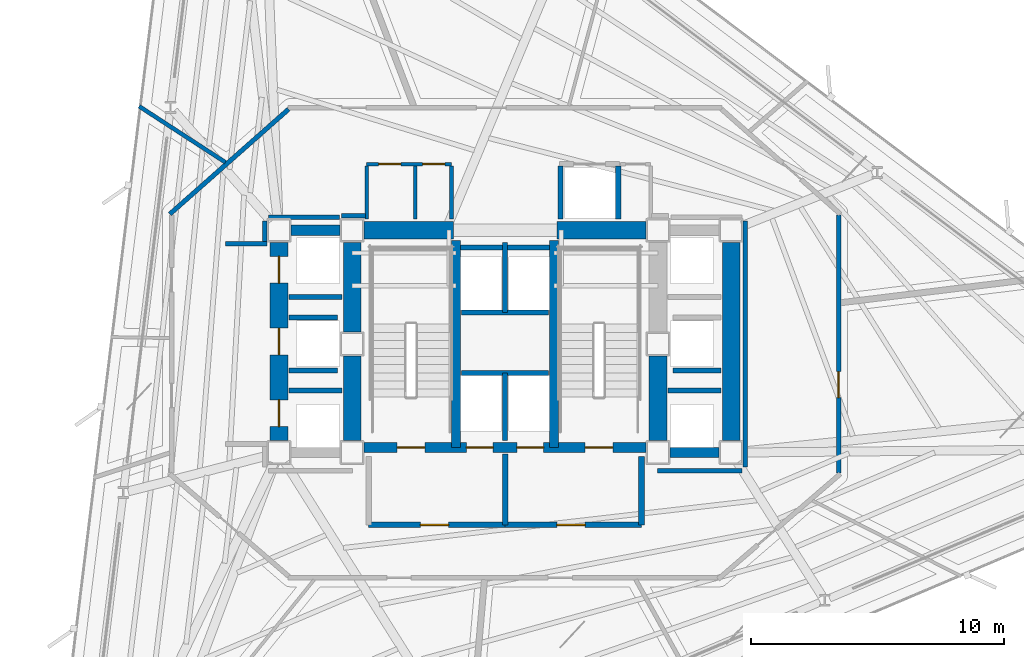
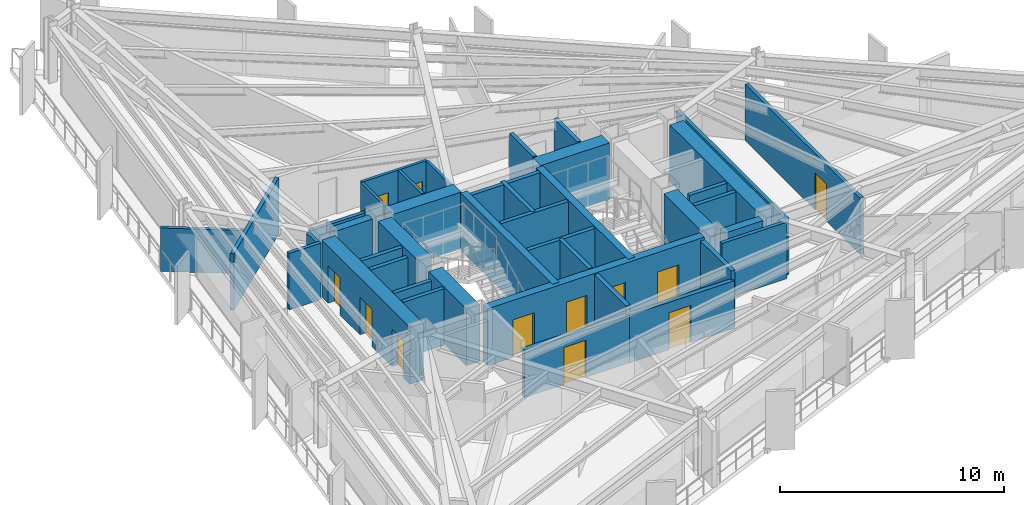
# One storey, part 7 of 13: 42 walls, 12 doors, 12 openings.
"""IFC4 building model written with IfcOpenShell, lengths in metres."""

from ifc_helpers import new_model, si_unit, direction, frame, frame_2d, origin, place, context, subcontext, project, spatial, rectangle, extrude, material, layer, layer_set, type_object, element, fill, save


model = new_model("IFC4")

# Units and contexts
model_context = context("Model", 3, precision=1e-05, world=origin(), true_north=direction((0.0, 1.0)))
body_context = subcontext(model_context, "Body", "Model", "MODEL_VIEW")
ifc_project = project(units=[si_unit("LENGTHUNIT", "METRE"), si_unit("AREAUNIT", "SQUARE_METRE"), si_unit("VOLUMEUNIT", "CUBIC_METRE"), si_unit("PLANEANGLEUNIT", "RADIAN"), si_unit("MASSUNIT", "GRAM", prefix="KILO")], contexts=[model_context])

# Site, building, storey
site_placement = place(None, origin())
site = spatial("IfcSite", under=ifc_project, at=site_placement, CompositionType="ELEMENT")
building_placement = place(site_placement, origin())
building = spatial("IfcBuilding", under=site, at=building_placement, Name="Rocaltana Carrier Exchange", CompositionType="ELEMENT")
storey_placement = place(building_placement, frame((0.0, 0.0, 59.679931640625)))
storey = spatial("IfcBuildingStorey", under=building, at=storey_placement, Name="L18", CompositionType="ELEMENT", Elevation=59.679931640625)

# Walls
ifc_material_1 = material(Name="Double Acoustic Gypsum Partition", Category="gypsum")
ifc_layer_1 = layer(ifc_material_1, 0.159912109375)
ifc_layer_set_1 = layer_set([ifc_layer_1], Name="Double Acoustic Gypsum Partition")
wall_type_1 = type_object("IfcWallType", Name="Acoustic Studio Partition 160 EI60", PredefinedType="PARTITIONING", material=ifc_layer_set_1)
wall_1_placement = place(storey_placement, frame((-11.069091796875, 7.188232421875, 0.0), z_axis=(0.0, 0.0, 1.0), x_axis=(-0.838653238926, 0.544665718436, 0.0)))
element("IfcWall", 1, at=wall_1_placement, inside=storey, type_object=wall_type_1, Name="L18 Suite Divider Wall D10", PredefinedType="PARTITIONING", context=body_context, shape_type="SweptSolid", body=[
    extrude(rectangle(XDim=4.070068359375, YDim=0.159912109375, at=frame_2d((2.03515625, 0.0))), origin(), (0.0, 0.0, 1.0), 2.358154296875),
])
ifc_material_2 = material(Name="Concrete C50/60", Category="concrete")
ifc_layer_2 = layer(ifc_material_2, 0.35009765625)
ifc_layer_set_2 = layer_set([ifc_layer_2], Name="Concrete C50/60")
wall_type_2 = type_object("IfcWallType", Name="Core Internal Shear Wall 350", PredefinedType="SHEAR", material=ifc_layer_set_2)
for number, where, z_axis, x_axis, name in (
    (2, (-1.93994140625, -4.10009765625, 0.0), (0.0, 0.0, 1.0), (0.0, 1.0, 0.0), "L18 Core Shear Wall CW-STW"),
    (3, (1.93994140625, -4.10009765625, 0.0), (0.0, 0.0, 1.0), (0.0, 1.0, 0.0), "L18 Core Shear Wall CW-STE"),
):
    element("IfcWall", number, at=place(storey_placement, frame(where, z_axis=z_axis, x_axis=x_axis)), inside=storey, type_object=wall_type_2, Name=name, PredefinedType="SHEAR", context=body_context, shape_type="SweptSolid", body=[
        extrude(rectangle(XDim=8.2001953125, YDim=0.35009765625, at=frame_2d((4.10009765625, 0.0))), origin(), (0.0, 0.0, 1.0), 3.09814453125),
    ])

# Wall, openings, doors
ifc_material_3 = material(Name="Concrete C50/60", Category="concrete")
ifc_layer_3 = layer(ifc_material_3, 0.39990234375)
ifc_layer_set_3 = layer_set([ifc_layer_3], Name="Concrete C50/60")
wall_type_3 = type_object("IfcWallType", Name="Core Internal Shear Wall 400", PredefinedType="SHEAR", material=ifc_layer_set_3)
wall_2_placement = place(storey_placement, frame((-5.574951171875, -4.10009765625, 0.0), z_axis=(0.0, 0.0, 1.0), x_axis=(1.0, 0.0, 0.0)))
wall_2 = element("IfcWall", 4, at=wall_2_placement, inside=storey, type_object=wall_type_3, Name="L18 Core Shear Wall CW-S", PredefinedType="SHEAR", context=body_context, shape_type="SweptSolid", body=[
    extrude(rectangle(XDim=11.14990234375, YDim=0.39990234375, at=frame_2d((5.574951171875, 0.0))), origin(), (0.0, 0.0, 1.0), 3.09814453125),
])
opening_1_placement = place(wall_2_placement, frame((1.304931640625, 0.0, 0.0)))
opening_1 = element("IfcOpeningElement", 5, at=opening_1_placement, cuts=wall_2, Name="Opening D-ST110", PredefinedType="OPENING", context=body_context, shape_type="SweptSolid", body=[
    extrude(rectangle(XDim=1.10009765625, YDim=2.0400390625, at=frame_2d((0.550048828125, 1.02001953125))), frame((0.0, 0.2099609375, 0.0), z_axis=(0.0, -1.0, 0.0), x_axis=(1.0, 0.0, 0.0)), (0.0, 0.0, 1.0), 0.419921875),
])
opening_2_placement = place(wall_2_placement, frame((8.7451171875, 0.0, 0.0)))
opening_2 = element("IfcOpeningElement", 6, at=opening_2_placement, cuts=wall_2, Name="Opening D-ST110", PredefinedType="OPENING", context=body_context, shape_type="SweptSolid", body=[
    extrude(rectangle(XDim=1.10009765625, YDim=2.0400390625, at=frame_2d((0.550048828125, 1.02001953125))), frame((0.0, 0.2099609375, 0.0), z_axis=(0.0, -1.0, 0.0), x_axis=(1.0, 0.0, 0.0)), (0.0, 0.0, 1.0), 0.419921875),
])
opening_3_placement = place(wall_2_placement, frame((4.044921875, 0.0, 0.0)))
opening_3 = element("IfcOpeningElement", 7, at=opening_3_placement, cuts=wall_2, Name="Opening LD-110", PredefinedType="OPENING", context=body_context, shape_type="SweptSolid", body=[
    extrude(rectangle(XDim=1.06005859375, YDim=2.0400390625, at=frame_2d((0.530029296875, 1.02001953125))), frame((0.0, 0.2099609375, 0.0), z_axis=(0.0, -1.0, 0.0), x_axis=(1.0, 0.0, 0.0)), (0.0, 0.0, 1.0), 0.419921875),
])
opening_4_placement = place(wall_2_placement, frame((6.044921875, 0.0, 0.0)))
opening_4 = element("IfcOpeningElement", 8, at=opening_4_placement, cuts=wall_2, Name="Opening LD-110", PredefinedType="OPENING", context=body_context, shape_type="SweptSolid", body=[
    extrude(rectangle(XDim=1.06005859375, YDim=2.0400390625, at=frame_2d((0.530029296875, 1.02001953125))), frame((0.0, 0.2099609375, 0.0), z_axis=(0.0, -1.0, 0.0), x_axis=(1.0, 0.0, 0.0)), (0.0, 0.0, 1.0), 0.419921875),
])
ifc_material_4 = material(Name="Hollow Metal Fire Door Assembly", Category="steel")
door_type_1 = type_object("IfcDoorType", Name="Exit Stair Fire Door 1100x2040 FD90S", OperationType="NOTDEFINED", PredefinedType="DOOR", material=ifc_material_4)
door_1_placement = place(opening_1_placement, origin())
door_1 = element("IfcDoor", 9, at=door_1_placement, inside=storey, type_object=door_type_1, Name="L18 Exit Stair ST1 Fire Door", OperationType="SINGLE_SWING_RIGHT", OverallHeight=2.0400390625, OverallWidth=1.10009765625, PredefinedType="DOOR", context=body_context, shape_type="SweptSolid", body=[
    extrude(rectangle(XDim=1.10009765625, YDim=2.0400390625, at=frame_2d((0.550048828125, 1.02001953125))), frame((0.0, 0.02490234375, 0.0), z_axis=(0.0, -1.0, 0.0), x_axis=(1.0, 0.0, 0.0)), (0.0, 0.0, 1.0), 0.050048828125),
])
fill(opening_1, door_1)
door_2_placement = place(opening_2_placement, origin())
door_2 = element("IfcDoor", 10, at=door_2_placement, inside=storey, type_object=door_type_1, Name="L18 Exit Stair ST2 Fire Door", OperationType="SINGLE_SWING_LEFT", OverallHeight=2.0400390625, OverallWidth=1.10009765625, PredefinedType="DOOR", context=body_context, shape_type="SweptSolid", body=[
    extrude(rectangle(XDim=1.10009765625, YDim=2.0400390625, at=frame_2d((0.550048828125, 1.02001953125))), frame((0.0, 0.02490234375, 0.0), z_axis=(0.0, -1.0, 0.0), x_axis=(1.0, 0.0, 0.0)), (0.0, 0.0, 1.0), 0.050048828125),
])
fill(opening_2, door_2)
ifc_material_5 = material(Name="Brushed Stainless Sliding Door Leaf", Category="steel")
door_type_2 = type_object("IfcDoorType", Name="Lift Landing Sliding Door 1060x2040", OperationType="NOTDEFINED", PredefinedType="DOOR", material=ifc_material_5)
door_3_placement = place(opening_3_placement, origin())
door_3 = element("IfcDoor", 11, at=door_3_placement, inside=storey, type_object=door_type_2, Name="L18 Firefighting Lift FFL1 Landing Door", OperationType="SLIDING_TO_LEFT", OverallHeight=2.0400390625, OverallWidth=1.06005859375, PredefinedType="DOOR", context=body_context, shape_type="SweptSolid", body=[
    extrude(rectangle(XDim=1.06005859375, YDim=2.0400390625, at=frame_2d((0.530029296875, 1.02001953125))), frame((0.0, 0.02490234375, 0.0), z_axis=(0.0, -1.0, 0.0), x_axis=(1.0, 0.0, 0.0)), (0.0, 0.0, 1.0), 0.050048828125),
])
fill(opening_3, door_3)
door_4_placement = place(opening_4_placement, origin())
door_4 = element("IfcDoor", 12, at=door_4_placement, inside=storey, type_object=door_type_2, Name="L18 Firefighting Lift FFL2 Landing Door", OperationType="SLIDING_TO_RIGHT", OverallHeight=2.0400390625, OverallWidth=1.06005859375, PredefinedType="DOOR", context=body_context, shape_type="SweptSolid", body=[
    extrude(rectangle(XDim=1.06005859375, YDim=2.0400390625, at=frame_2d((0.530029296875, 1.02001953125))), frame((0.0, 0.02490234375, 0.0), z_axis=(0.0, -1.0, 0.0), x_axis=(1.0, 0.0, 0.0)), (0.0, 0.0, 1.0), 0.050048828125),
])
fill(opening_4, door_4)

# Walls
for number, where, z_axis, x_axis, name in (
    (13, (-8.47509765625, 4.5, 0.0), (0.0, 0.0, 1.0), (1.0, 0.0, 0.0), "L18 Core Shear Wall CW-WWN"),
    (14, (6.52490234375, -4.300048828125, 0.0), (0.0, 0.0, 1.0), (1.0, 0.0, 0.0), "L18 Core Shear Wall CW-EWS"),
):
    element("IfcWall", number, at=place(storey_placement, frame(where, z_axis=z_axis, x_axis=x_axis)), inside=storey, type_object=wall_type_3, Name=name, PredefinedType="SHEAR", context=body_context, shape_type="SweptSolid", body=[
        extrude(rectangle(XDim=1.9501953125, YDim=0.39990234375, at=frame_2d((0.97509765625, 0.0))), origin(), (0.0, 0.0, 1.0), 3.09814453125),
    ])
ifc_material_6 = material(Name="Concrete C60/75", Category="concrete")
ifc_layer_4 = layer(ifc_material_6, 0.699951171875)
ifc_layer_set_4 = layer_set([ifc_layer_4], Name="Concrete C60/75")
wall_type_4 = type_object("IfcWallType", Name="Core Shear Wall 700", PredefinedType="SHEAR", material=ifc_layer_set_4)
wall_3_placement = place(storey_placement, frame((-6.050048828125, 0.47509765625, 0.0), z_axis=(0.0, 0.0, 1.0), x_axis=(0.0, 1.0, 0.0)))
element("IfcWall", 15, at=wall_3_placement, inside=storey, type_object=wall_type_4, Name="L18 Core Shear Wall CW-WN", PredefinedType="SHEAR", context=body_context, shape_type="SweptSolid", body=[
    extrude(rectangle(XDim=3.5498046875, YDim=0.699951171875, at=frame_2d((1.77490234375, 0.0))), origin(), (0.0, 0.0, 1.0), 3.09814453125),
])
for number, where, z_axis, x_axis, name in (
    (16, (-6.050048828125, -3.824951171875, 0.0), (0.0, 0.0, 1.0), (0.0, 1.0, 0.0), "L18 Core Shear Wall CW-WS"),
    (17, (6.050048828125, -3.824951171875, 0.0), (0.0, 0.0, 1.0), (0.0, 1.0, 0.0), "L18 Core Shear Wall CW-ES"),
):
    element("IfcWall", number, at=place(storey_placement, frame(where, z_axis=z_axis, x_axis=x_axis)), inside=storey, type_object=wall_type_4, Name=name, PredefinedType="SHEAR", context=body_context, shape_type="SweptSolid", body=[
        extrude(rectangle(XDim=3.349853515625, YDim=0.699951171875, at=frame_2d((1.6748046875, 0.0))), origin(), (0.0, 0.0, 1.0), 3.09814453125),
    ])
for number, where, z_axis, x_axis, name in (
    (18, (-5.574951171875, 4.5, 0.0), (0.0, 0.0, 1.0), (1.0, 0.0, 0.0), "L18 Core Shear Wall CW-N1"),
    (19, (2.050048828125, 4.5, 0.0), (0.0, 0.0, 1.0), (1.0, 0.0, 0.0), "L18 Core Shear Wall CW-N2"),
):
    element("IfcWall", number, at=place(storey_placement, frame(where, z_axis=z_axis, x_axis=x_axis)), inside=storey, type_object=wall_type_4, Name=name, PredefinedType="SHEAR", context=body_context, shape_type="SweptSolid", body=[
        extrude(rectangle(XDim=3.52490234375, YDim=0.699951171875, at=frame_2d((1.762451171875, 0.0))), origin(), (0.0, 0.0, 1.0), 3.09814453125),
    ])

# Wall, openings, doors
wall_4_placement = place(storey_placement, frame((-8.949951171875, -3.824951171875, 0.0), z_axis=(0.0, 0.0, 1.0), x_axis=(0.0, 1.0, 0.0)))
wall_4 = element("IfcWall", 20, at=wall_4_placement, inside=storey, type_object=wall_type_4, Name="L18 Core Shear Wall CW-WW", PredefinedType="SHEAR", context=body_context, shape_type="SweptSolid", body=[
    extrude(rectangle(XDim=7.849853515625, YDim=0.699951171875, at=frame_2d((3.9248046875, 0.0))), origin(), (0.0, 0.0, 1.0), 3.09814453125),
])
opening_5_placement = place(wall_4_placement, frame((0.550048828125, 0.0, 0.0)))
opening_5 = element("IfcOpeningElement", 21, at=opening_5_placement, cuts=wall_4, Name="Opening LD-110", PredefinedType="OPENING", context=body_context, shape_type="SweptSolid", body=[
    extrude(rectangle(XDim=1.06005859375, YDim=2.0400390625, at=frame_2d((0.530029296875, 1.02001953125))), frame((0.0, 0.35986328125, 0.0), z_axis=(0.0, -1.0, 0.0), x_axis=(1.0, 0.0, 0.0)), (0.0, 0.0, 1.0), 0.719970703125),
])
opening_6_placement = place(wall_4_placement, frame((3.39501953125, 0.0, 0.0)))
opening_6 = element("IfcOpeningElement", 22, at=opening_6_placement, cuts=wall_4, Name="Opening LD-110", PredefinedType="OPENING", context=body_context, shape_type="SweptSolid", body=[
    extrude(rectangle(XDim=1.06005859375, YDim=2.0400390625, at=frame_2d((0.530029296875, 1.02001953125))), frame((0.0, 0.35986328125, 0.0), z_axis=(0.0, -1.0, 0.0), x_axis=(1.0, 0.0, 0.0)), (0.0, 0.0, 1.0), 0.719970703125),
])
opening_7_placement = place(wall_4_placement, frame((6.22998046875, 0.0, 0.0)))
opening_7 = element("IfcOpeningElement", 23, at=opening_7_placement, cuts=wall_4, Name="Opening LD-110", PredefinedType="OPENING", context=body_context, shape_type="SweptSolid", body=[
    extrude(rectangle(XDim=1.06005859375, YDim=2.0400390625, at=frame_2d((0.530029296875, 1.02001953125))), frame((0.0, 0.35986328125, 0.0), z_axis=(0.0, -1.0, 0.0), x_axis=(1.0, 0.0, 0.0)), (0.0, 0.0, 1.0), 0.719970703125),
])
door_5_placement = place(opening_5_placement, origin())
door_5 = element("IfcDoor", 24, at=door_5_placement, inside=storey, type_object=door_type_2, Name="L18 Low-Rise Lift PL-L1 Landing Door", OperationType="SLIDING_TO_LEFT", OverallHeight=2.0400390625, OverallWidth=1.06005859375, PredefinedType="DOOR", context=body_context, shape_type="SweptSolid", body=[
    extrude(rectangle(XDim=1.06005859375, YDim=2.0400390625, at=frame_2d((0.530029296875, 1.02001953125))), frame((0.0, 0.02490234375, 0.0), z_axis=(0.0, -1.0, 0.0), x_axis=(1.0, 0.0, 0.0)), (0.0, 0.0, 1.0), 0.050048828125),
])
fill(opening_5, door_5)
door_6_placement = place(opening_6_placement, origin())
door_6 = element("IfcDoor", 25, at=door_6_placement, inside=storey, type_object=door_type_2, Name="L18 Low-Rise Lift PL-L2 Landing Door", OperationType="SLIDING_TO_RIGHT", OverallHeight=2.0400390625, OverallWidth=1.06005859375, PredefinedType="DOOR", context=body_context, shape_type="SweptSolid", body=[
    extrude(rectangle(XDim=1.06005859375, YDim=2.0400390625, at=frame_2d((0.530029296875, 1.02001953125))), frame((0.0, 0.02490234375, 0.0), z_axis=(0.0, -1.0, 0.0), x_axis=(1.0, 0.0, 0.0)), (0.0, 0.0, 1.0), 0.050048828125),
])
fill(opening_6, door_6)
door_7_placement = place(opening_7_placement, origin())
door_7 = element("IfcDoor", 26, at=door_7_placement, inside=storey, type_object=door_type_2, Name="L18 Low-Rise Lift PL-L3 Landing Door", OperationType="SLIDING_TO_LEFT", OverallHeight=2.0400390625, OverallWidth=1.06005859375, PredefinedType="DOOR", context=body_context, shape_type="SweptSolid", body=[
    extrude(rectangle(XDim=1.06005859375, YDim=2.0400390625, at=frame_2d((0.530029296875, 1.02001953125))), frame((0.0, 0.02490234375, 0.0), z_axis=(0.0, -1.0, 0.0), x_axis=(1.0, 0.0, 0.0)), (0.0, 0.0, 1.0), 0.050048828125),
])
fill(opening_7, door_7)

# Wall
wall_5_placement = place(storey_placement, frame((8.949951171875, -3.824951171875, 0.0), z_axis=(0.0, 0.0, 1.0), x_axis=(0.0, 1.0, 0.0)))
element("IfcWall", 27, at=wall_5_placement, inside=storey, type_object=wall_type_4, Name="L18 Core Shear Wall CW-EW", PredefinedType="SHEAR", context=body_context, shape_type="SweptSolid", body=[
    extrude(rectangle(XDim=7.849853515625, YDim=0.699951171875, at=frame_2d((3.9248046875, 0.0))), origin(), (0.0, 0.0, 1.0), 3.09814453125),
])

# Wall, opening, door
ifc_material_7 = material(Name="Gypsum & Steel Stud Partition", Category="steel")
ifc_layer_5 = layer(ifc_material_7, 0.179931640625)
ifc_layer_set_5 = layer_set([ifc_layer_5], Name="Gypsum & Steel Stud Partition")
wall_type_5 = type_object("IfcWallType", Name="Corridor Fire Partition 180 EI60", PredefinedType="PARTITIONING", material=ifc_layer_set_5)
wall_6_placement = place(storey_placement, frame((13.199951171875, 5.110107421875, 0.0), z_axis=(0.0, 0.0, 1.0), x_axis=(0.0, -1.0, 0.0)))
wall_6 = element("IfcWall", 28, at=wall_6_placement, inside=storey, type_object=wall_type_5, Name="L18 Corridor Partition 3", PredefinedType="PARTITIONING", context=body_context, shape_type="SweptSolid", body=[
    extrude(rectangle(XDim=10.22021484375, YDim=0.179931640625, at=frame_2d((5.110107421875, 0.0))), origin(), (0.0, 0.0, 1.0), 3.072998046875),
])
opening_8_placement = place(wall_6_placement, frame((6.209716796875, 0.0, 0.0)))
opening_8 = element("IfcOpeningElement", 29, at=opening_8_placement, cuts=wall_6, Name="Opening D-LB104", PredefinedType="OPENING", context=body_context, shape_type="SweptSolid", body=[
    extrude(rectangle(XDim=1.02001953125, YDim=2.02001953125, at=frame_2d((0.510009765625, 1.010009765625))), frame((0.0, 0.099853515625, 0.0), z_axis=(0.0, -1.0, 0.0), x_axis=(1.0, 0.0, 0.0)), (0.0, 0.0, 1.0), 0.199951171875),
])
ifc_material_8 = material(Name="Powder-Coated Aluminium 6063-T6", Category="aluminium")
door_type_3 = type_object("IfcDoorType", Name="Laboratory Acoustic Door 1020x2020", OperationType="NOTDEFINED", PredefinedType="DOOR", material=ifc_material_8)
door_8_placement = place(opening_8_placement, origin())
door_8 = element("IfcDoor", 30, at=door_8_placement, inside=storey, type_object=door_type_3, Name="L18 Optical Switching Laboratory Entrance Door", OperationType="SINGLE_SWING_RIGHT", OverallHeight=2.02001953125, OverallWidth=1.02001953125, PredefinedType="DOOR", context=body_context, shape_type="SweptSolid", body=[
    extrude(rectangle(XDim=1.02001953125, YDim=2.02001953125, at=frame_2d((0.510009765625, 1.010009765625))), frame((0.0, 0.02490234375, 0.0), z_axis=(0.0, -1.0, 0.0), x_axis=(1.0, 0.0, 0.0)), (0.0, 0.0, 1.0), 0.050048828125),
])
fill(opening_8, door_8)

# Walls
wall_7_placement = place(storey_placement, frame((-13.267578125, 5.140380859375, 0.0), z_axis=(0.0, 0.0, 1.0), x_axis=(0.749626463267, 0.66186113768, 0.0)))
element("IfcWall", 31, at=wall_7_placement, inside=storey, type_object=wall_type_5, Name="L18 Corridor Partition 8", PredefinedType="PARTITIONING", context=body_context, shape_type="SweptSolid", body=[
    extrude(rectangle(XDim=6.27001953125, YDim=0.179931640625, at=frame_2d((3.135009765625, 0.0))), origin(), (0.0, 0.0, 1.0), 3.072998046875),
])
wall_8_placement = place(storey_placement, frame((-9.510009765625, 4.8701171875, 0.0), z_axis=(0.0, 0.0, 1.0), x_axis=(0.0, -1.0, 0.0)))
element("IfcWall", 32, at=wall_8_placement, inside=storey, type_object=wall_type_5, Name="L18 Corridor Partition 9", PredefinedType="PARTITIONING", context=body_context, shape_type="SweptSolid", body=[
    extrude(rectangle(XDim=0.820068359375, YDim=0.179931640625, at=frame_2d((0.41015625, 0.0))), origin(), (0.0, 0.0, 1.0), 3.072998046875),
])
wall_9_placement = place(storey_placement, frame((-9.419921875, 3.9599609375, 0.0), z_axis=(0.0, 0.0, 1.0), x_axis=(-1.0, 0.0, 0.0)))
element("IfcWall", 33, at=wall_9_placement, inside=storey, type_object=wall_type_5, Name="L18 Corridor Partition 10", PredefinedType="PARTITIONING", context=body_context, shape_type="SweptSolid", body=[
    extrude(rectangle(XDim=1.650146484375, YDim=0.179931640625, at=frame_2d((0.8251953125, 0.0))), origin(), (0.0, 0.0, 1.0), 3.072998046875),
])
wall_10_placement = place(storey_placement, frame((6.030029296875, -5.010009765625, 0.0), z_axis=(0.0, 0.0, 1.0), x_axis=(1.0, 0.0, 0.0)))
element("IfcWall", 34, at=wall_10_placement, inside=storey, type_object=wall_type_5, Name="L18 Corridor Partition 16", PredefinedType="PARTITIONING", context=body_context, shape_type="SweptSolid", body=[
    extrude(rectangle(XDim=3.340087890625, YDim=0.179931640625, at=frame_2d((1.669921875, 0.0))), origin(), (0.0, 0.0, 1.0), 3.072998046875),
])
wall_11_placement = place(storey_placement, frame((9.510009765625, -4.8701171875, 0.0), z_axis=(0.0, 0.0, 1.0), x_axis=(0.0, 1.0, 0.0)))
element("IfcWall", 35, at=wall_11_placement, inside=storey, type_object=wall_type_5, Name="L18 Corridor Partition 17", PredefinedType="PARTITIONING", context=body_context, shape_type="SweptSolid", body=[
    extrude(rectangle(XDim=9.740234375, YDim=0.179931640625, at=frame_2d((4.8701171875, 0.0))), origin(), (0.0, 0.0, 1.0), 3.072998046875),
])
wall_12_placement = place(storey_placement, frame((-5.52001953125, 5.080078125, 0.0), z_axis=(0.0, 0.0, 1.0), x_axis=(-1.0, 0.0, 0.0)))
element("IfcWall", 36, at=wall_12_placement, inside=storey, type_object=wall_type_5, Name="L18 Corridor Partition 22", PredefinedType="PARTITIONING", context=body_context, shape_type="SweptSolid", body=[
    extrude(rectangle(XDim=0.949951171875, YDim=0.179931640625, at=frame_2d((0.47509765625, 0.0))), origin(), (0.0, 0.0, 1.0), 3.072998046875),
])
wall_13_placement = place(storey_placement, frame((-6.562255859375, 5.010009765625, 0.0), z_axis=(0.0, 0.0, 1.0), x_axis=(-1.0, 0.0, 0.0)))
element("IfcWall", 37, at=wall_13_placement, inside=storey, type_object=wall_type_5, Name="L18 Corridor Partition 23", PredefinedType="PARTITIONING", context=body_context, shape_type="SweptSolid", body=[
    extrude(rectangle(XDim=2.807861328125, YDim=0.179931640625, at=frame_2d((1.40380859375, 0.0))), origin(), (0.0, 0.0, 1.0), 3.072998046875),
])
ifc_material_9 = material(Name="Autoclaved Aerated Concrete C30/37", Category="concrete")
ifc_layer_6 = layer(ifc_material_9, 0.219970703125)
ifc_layer_set_6 = layer_set([ifc_layer_6], Name="Autoclaved Aerated Concrete C30/37")
wall_type_6 = type_object("IfcWallType", Name="Firefighting Lobby Wall 220 EI120", PredefinedType="PARTITIONING", material=ifc_layer_set_6)
wall_14_placement = place(storey_placement, frame((5.39990234375, -7.159912109375, 0.0), z_axis=(0.0, 0.0, 1.0), x_axis=(0.0, 1.0, 0.0)))
element("IfcWall", 38, at=wall_14_placement, inside=storey, type_object=wall_type_6, Name="L18 FFL Lobby 2 East Wall", PredefinedType="PARTITIONING", context=body_context, shape_type="SweptSolid", body=[
    extrude(rectangle(XDim=2.7099609375, YDim=0.219970703125, at=frame_2d((1.35498046875, 0.0))), origin(), (0.0, 0.0, 1.0), 3.072998046875),
])
wall_15_placement = place(storey_placement, frame((0.0, -7.159912109375, 0.0), z_axis=(0.0, 0.0, 1.0), x_axis=(0.0, 1.0, 0.0)))
element("IfcWall", 39, at=wall_15_placement, inside=storey, type_object=wall_type_6, Name="L18 FFL Lobby Centre Wall", PredefinedType="PARTITIONING", context=body_context, shape_type="SweptSolid", body=[
    extrude(rectangle(XDim=2.809814453125, YDim=0.219970703125, at=frame_2d((1.40478515625, 0.0))), origin(), (0.0, 0.0, 1.0), 3.072998046875),
])

# Wall, opening, door
wall_16_placement = place(storey_placement, frame((-5.39990234375, -7.159912109375, 0.0), z_axis=(0.0, 0.0, 1.0), x_axis=(1.0, 0.0, 0.0)))
wall_16 = element("IfcWall", 40, at=wall_16_placement, inside=storey, type_object=wall_type_6, Name="L18 FFL Lobby 1 South Wall", PredefinedType="PARTITIONING", context=body_context, shape_type="SweptSolid", body=[
    extrude(rectangle(XDim=5.39990234375, YDim=0.219970703125, at=frame_2d((2.699951171875, 0.0))), origin(), (0.0, 0.0, 1.0), 2.587158203125),
])
opening_9_placement = place(wall_16_placement, frame((2.050048828125, 0.0, 0.0)))
opening_9 = element("IfcOpeningElement", 41, at=opening_9_placement, cuts=wall_16, Name="Opening D-FF115", PredefinedType="OPENING", context=body_context, shape_type="SweptSolid", body=[
    extrude(rectangle(XDim=1.1201171875, YDim=2.02001953125, at=frame_2d((0.56005859375, 1.010009765625))), frame((0.0, 0.119873046875, 0.0), z_axis=(0.0, -1.0, 0.0), x_axis=(1.0, 0.0, 0.0)), (0.0, 0.0, 1.0), 0.239990234375),
])
ifc_material_10 = material(Name="Hollow Metal Fire Door Assembly", Category="steel")
door_type_4 = type_object("IfcDoorType", Name="Firefighting Lobby Door 1120x2020 FD60S", OperationType="NOTDEFINED", PredefinedType="DOOR", material=ifc_material_10)
door_9_placement = place(opening_9_placement, origin())
door_9 = element("IfcDoor", 42, at=door_9_placement, inside=storey, type_object=door_type_4, Name="L18 Firefighting Lift Lobby 1 Door", OperationType="SINGLE_SWING_RIGHT", OverallHeight=2.02001953125, OverallWidth=1.1201171875, PredefinedType="DOOR", context=body_context, shape_type="SweptSolid", body=[
    extrude(rectangle(XDim=1.1201171875, YDim=2.02001953125, at=frame_2d((0.56005859375, 1.010009765625))), frame((0.0, 0.02490234375, 0.0), z_axis=(0.0, -1.0, 0.0), x_axis=(1.0, 0.0, 0.0)), (0.0, 0.0, 1.0), 0.050048828125),
])
fill(opening_9, door_9)

wall_17_placement = place(storey_placement, frame((0.0, -7.159912109375, 0.0), z_axis=(0.0, 0.0, 1.0), x_axis=(1.0, 0.0, 0.0)))
wall_17 = element("IfcWall", 43, at=wall_17_placement, inside=storey, type_object=wall_type_6, Name="L18 FFL Lobby 2 South Wall", PredefinedType="PARTITIONING", context=body_context, shape_type="SweptSolid", body=[
    extrude(rectangle(XDim=5.39990234375, YDim=0.219970703125, at=frame_2d((2.699951171875, 0.0))), origin(), (0.0, 0.0, 1.0), 2.587158203125),
])
opening_10_placement = place(wall_17_placement, frame((2.050048828125, 0.0, 0.0)))
opening_10 = element("IfcOpeningElement", 44, at=opening_10_placement, cuts=wall_17, Name="Opening D-FF115", PredefinedType="OPENING", context=body_context, shape_type="SweptSolid", body=[
    extrude(rectangle(XDim=1.1201171875, YDim=2.02001953125, at=frame_2d((0.56005859375, 1.010009765625))), frame((0.0, 0.119873046875, 0.0), z_axis=(0.0, -1.0, 0.0), x_axis=(1.0, 0.0, 0.0)), (0.0, 0.0, 1.0), 0.239990234375),
])
door_10_placement = place(opening_10_placement, origin())
door_10 = element("IfcDoor", 45, at=door_10_placement, inside=storey, type_object=door_type_4, Name="L18 Firefighting Lift Lobby 2 Door", OperationType="SINGLE_SWING_LEFT", OverallHeight=2.02001953125, OverallWidth=1.1201171875, PredefinedType="DOOR", context=body_context, shape_type="SweptSolid", body=[
    extrude(rectangle(XDim=1.1201171875, YDim=2.02001953125, at=frame_2d((0.56005859375, 1.010009765625))), frame((0.0, 0.02490234375, 0.0), z_axis=(0.0, -1.0, 0.0), x_axis=(1.0, 0.0, 0.0)), (0.0, 0.0, 1.0), 0.050048828125),
])
fill(opening_10, door_10)

# Walls
ifc_material_11 = material(Name="Reinforced Concrete Block C35/45", Category="concrete")
ifc_layer_7 = layer(ifc_material_11, 0.199951171875)
ifc_layer_set_7 = layer_set([ifc_layer_7], Name="Reinforced Concrete Block C35/45")
wall_type_7 = type_object("IfcWallType", Name="Lift Hoistway Enclosure Wall 200 EI120", PredefinedType="PARTITIONING", material=ifc_layer_set_7)
wall_18_placement = place(storey_placement, frame((0.0, -3.820068359375, 0.0), z_axis=(0.0, 0.0, 1.0), x_axis=(0.0, 1.0, 0.0)))
element("IfcWall", 46, at=wall_18_placement, inside=storey, type_object=wall_type_7, Name="L18 FFL Shaft Divider", PredefinedType="PARTITIONING", context=body_context, shape_type="SweptSolid", body=[
    extrude(rectangle(XDim=2.670166015625, YDim=0.199951171875, at=frame_2d((1.3349609375, 0.0))), origin(), (0.0, 0.0, 1.0), 3.072998046875),
])
wall_19_placement = place(storey_placement, frame((-1.719970703125, -1.14990234375, 0.0), z_axis=(0.0, 0.0, 1.0), x_axis=(1.0, 0.0, 0.0)))
element("IfcWall", 47, at=wall_19_placement, inside=storey, type_object=wall_type_7, Name="L18 FFL Shaft Back Wall", PredefinedType="PARTITIONING", context=body_context, shape_type="SweptSolid", body=[
    extrude(rectangle(XDim=3.43994140625, YDim=0.199951171875, at=frame_2d((1.719970703125, 0.0))), origin(), (0.0, 0.0, 1.0), 3.072998046875),
])
wall_20_placement = place(storey_placement, frame((0.0, 1.25, 0.0), z_axis=(0.0, 0.0, 1.0), x_axis=(0.0, 1.0, 0.0)))
element("IfcWall", 48, at=wall_20_placement, inside=storey, type_object=wall_type_7, Name="L18 High-Rise Shaft Divider", PredefinedType="PARTITIONING", context=body_context, shape_type="SweptSolid", body=[
    extrude(rectangle(XDim=2.77001953125, YDim=0.199951171875, at=frame_2d((1.385009765625, 0.0))), origin(), (0.0, 0.0, 1.0), 3.072998046875),
])
wall_21_placement = place(storey_placement, frame((-1.719970703125, 1.25, 0.0), z_axis=(0.0, 0.0, 1.0), x_axis=(1.0, 0.0, 0.0)))
element("IfcWall", 49, at=wall_21_placement, inside=storey, type_object=wall_type_7, Name="L18 High-Rise Shaft Back Wall", PredefinedType="PARTITIONING", context=body_context, shape_type="SweptSolid", body=[
    extrude(rectangle(XDim=3.43994140625, YDim=0.199951171875, at=frame_2d((1.719970703125, 0.0))), origin(), (0.0, 0.0, 1.0), 3.072998046875),
])
wall_22_placement = place(storey_placement, frame((-1.760009765625, 3.820068359375, 0.0), z_axis=(0.0, 0.0, 1.0), x_axis=(1.0, 0.0, 0.0)))
element("IfcWall", 50, at=wall_22_placement, inside=storey, type_object=wall_type_7, Name="L18 High-Rise Lift Front Wall", PredefinedType="PARTITIONING", context=body_context, shape_type="SweptSolid", body=[
    extrude(rectangle(XDim=3.52001953125, YDim=0.199951171875, at=frame_2d((1.760009765625, 0.0))), origin(), (0.0, 0.0, 1.0), 3.072998046875),
])
for number, where, z_axis, x_axis, name in (
    (51, (2.199951171875, 4.949951171875, 0.0), (0.0, 0.0, 1.0), (0.0, 1.0, 0.0), "L18 Goods Lift West Wall"),
    (52, (4.47998046875, 4.949951171875, 0.0), (0.0, 0.0, 1.0), (0.0, 1.0, 0.0), "L18 Goods Lift East Wall"),
    (53, (-8.550048828125, -1.85009765625, 0.0), (0.0, 0.0, 1.0), (1.0, 0.0, 0.0), "L18 Low-Rise Shaft Divider 1"),
    (54, (-8.550048828125, 1.85009765625, 0.0), (0.0, 0.0, 1.0), (1.0, 0.0, 0.0), "L18 Low-Rise Shaft Divider 2"),
):
    element("IfcWall", number, at=place(storey_placement, frame(where, z_axis=z_axis, x_axis=x_axis)), inside=storey, type_object=wall_type_7, Name=name, PredefinedType="PARTITIONING", context=body_context, shape_type="SweptSolid", body=[
        extrude(rectangle(XDim=2.10009765625, YDim=0.199951171875, at=frame_2d((1.050048828125, 0.0))), origin(), (0.0, 0.0, 1.0), 3.072998046875),
    ])
for number, where, z_axis, x_axis, name in (
    (55, (-8.550048828125, -1.050048828125, 0.0), (0.0, 0.0, 1.0), (1.0, 0.0, 0.0), "L18 Low-Rise Center Shaft Wall South"),
    (56, (-8.550048828125, 1.050048828125, 0.0), (0.0, 0.0, 1.0), (1.0, 0.0, 0.0), "L18 Low-Rise Center Shaft Wall North"),
):
    element("IfcWall", number, at=place(storey_placement, frame(where, z_axis=z_axis, x_axis=x_axis)), inside=storey, type_object=wall_type_7, Name=name, PredefinedType="PARTITIONING", context=body_context, shape_type="SweptSolid", body=[
        extrude(rectangle(XDim=1.91015625, YDim=0.199951171875, at=frame_2d((0.955078125, 0.0))), origin(), (0.0, 0.0, 1.0), 3.072998046875),
    ])
wall_23_placement = place(storey_placement, frame((6.449951171875, -1.85009765625, 0.0), z_axis=(0.0, 0.0, 1.0), x_axis=(1.0, 0.0, 0.0)))
element("IfcWall", 57, at=wall_23_placement, inside=storey, type_object=wall_type_7, Name="L18 Mid-Rise Shaft Divider 1", PredefinedType="PARTITIONING", context=body_context, shape_type="SweptSolid", body=[
    extrude(rectangle(XDim=2.10009765625, YDim=0.199951171875, at=frame_2d((1.050048828125, 0.0))), origin(), (0.0, 0.0, 1.0), 3.072998046875),
])
wall_24_placement = place(storey_placement, frame((6.639892578125, -1.050048828125, 0.0), z_axis=(0.0, 0.0, 1.0), x_axis=(1.0, 0.0, 0.0)))
element("IfcWall", 58, at=wall_24_placement, inside=storey, type_object=wall_type_7, Name="L18 Mid-Rise Center Shaft Wall South", PredefinedType="PARTITIONING", context=body_context, shape_type="SweptSolid", body=[
    extrude(rectangle(XDim=1.91015625, YDim=0.199951171875, at=frame_2d((0.955078125, 0.0))), origin(), (0.0, 0.0, 1.0), 3.072998046875),
])
ifc_material_12 = material(Name="Moisture-Resistant Masonry C30/37", Category="masonry")
ifc_layer_8 = layer(ifc_material_12, 0.139892578125)
ifc_layer_set_8 = layer_set([ifc_layer_8], Name="Moisture-Resistant Masonry C30/37")
wall_type_8 = type_object("IfcWallType", Name="Wet-Area Sanitary Partition 140", PredefinedType="PARTITIONING", material=ifc_layer_set_8)
for number, where, z_axis, x_axis, name in (
    (59, (-5.47998046875, 4.949951171875, 0.0), (0.0, 0.0, 1.0), (0.0, 1.0, 0.0), "L18 Sanitary West Wall"),
    (60, (-3.56005859375, 4.949951171875, 0.0), (0.0, 0.0, 1.0), (0.0, 1.0, 0.0), "L18 Sanitary Divider"),
    (61, (-2.1201171875, 4.949951171875, 0.0), (0.0, 0.0, 1.0), (0.0, 1.0, 0.0), "L18 Sanitary East Wall"),
):
    element("IfcWall", number, at=place(storey_placement, frame(where, z_axis=z_axis, x_axis=x_axis)), inside=storey, type_object=wall_type_8, Name=name, PredefinedType="PARTITIONING", context=body_context, shape_type="SweptSolid", body=[
        extrude(rectangle(XDim=2.10009765625, YDim=0.139892578125, at=frame_2d((1.050048828125, 0.0))), origin(), (0.0, 0.0, 1.0), 3.072998046875),
    ])

# Wall, openings, doors
wall_25_placement = place(storey_placement, frame((-5.47998046875, 7.1201171875, 0.0), z_axis=(0.0, 0.0, 1.0), x_axis=(1.0, 0.0, 0.0)))
wall_25 = element("IfcWall", 62, at=wall_25_placement, inside=storey, type_object=wall_type_8, Name="L18 Sanitary North Wall", PredefinedType="PARTITIONING", context=body_context, shape_type="SweptSolid", body=[
    extrude(rectangle(XDim=3.35986328125, YDim=0.139892578125, at=frame_2d((1.679931640625, 0.0))), origin(), (0.0, 0.0, 1.0), 3.072998046875),
])
opening_11_placement = place(wall_25_placement, frame((0.47998046875, 0.0, 0.0)))
opening_11 = element("IfcOpeningElement", 63, at=opening_11_placement, cuts=wall_25, Name="Opening D-WC090", PredefinedType="OPENING", context=body_context, shape_type="SweptSolid", body=[
    extrude(rectangle(XDim=0.8798828125, YDim=2.02001953125, at=frame_2d((0.43994140625, 1.010009765625))), frame((0.0, 0.079833984375, 0.0), z_axis=(0.0, -1.0, 0.0), x_axis=(1.0, 0.0, 0.0)), (0.0, 0.0, 1.0), 0.159912109375),
])
opening_12_placement = place(wall_25_placement, frame((2.219970703125, 0.0, 0.0)))
opening_12 = element("IfcOpeningElement", 64, at=opening_12_placement, cuts=wall_25, Name="Opening D-WC090", PredefinedType="OPENING", context=body_context, shape_type="SweptSolid", body=[
    extrude(rectangle(XDim=0.8798828125, YDim=2.02001953125, at=frame_2d((0.43994140625, 1.010009765625))), frame((0.0, 0.079833984375, 0.0), z_axis=(0.0, -1.0, 0.0), x_axis=(1.0, 0.0, 0.0)), (0.0, 0.0, 1.0), 0.159912109375),
])
ifc_material_13 = material(Name="High-Pressure Laminate Timber", Category="wood")
door_type_5 = type_object("IfcDoorType", Name="Restroom & Accessible WC Door 880x2020", OperationType="NOTDEFINED", PredefinedType="DOOR", material=ifc_material_13)
door_11_placement = place(opening_11_placement, origin())
door_11 = element("IfcDoor", 65, at=door_11_placement, inside=storey, type_object=door_type_5, Name="L18 Accessible Toilet Door", OperationType="SINGLE_SWING_RIGHT", OverallHeight=2.02001953125, OverallWidth=0.8798828125, PredefinedType="DOOR", context=body_context, shape_type="SweptSolid", body=[
    extrude(rectangle(XDim=0.8798828125, YDim=2.02001953125, at=frame_2d((0.43994140625, 1.010009765625))), frame((0.0, 0.02490234375, 0.0), z_axis=(0.0, -1.0, 0.0), x_axis=(1.0, 0.0, 0.0)), (0.0, 0.0, 1.0), 0.050048828125),
])
fill(opening_11, door_11)
door_12_placement = place(opening_12_placement, origin())
door_12 = element("IfcDoor", 66, at=door_12_placement, inside=storey, type_object=door_type_5, Name="L18 Staff Restroom Door", OperationType="SINGLE_SWING_LEFT", OverallHeight=2.02001953125, OverallWidth=0.8798828125, PredefinedType="DOOR", context=body_context, shape_type="SweptSolid", body=[
    extrude(rectangle(XDim=0.8798828125, YDim=2.02001953125, at=frame_2d((0.43994140625, 1.010009765625))), frame((0.0, 0.02490234375, 0.0), z_axis=(0.0, -1.0, 0.0), x_axis=(1.0, 0.0, 0.0)), (0.0, 0.0, 1.0), 0.050048828125),
])
fill(opening_12, door_12)

save(model, "model.ifc")
